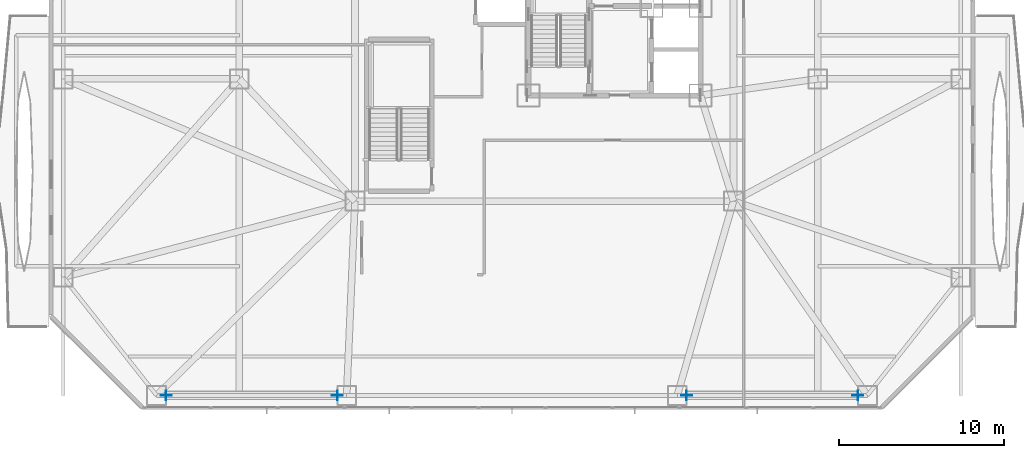
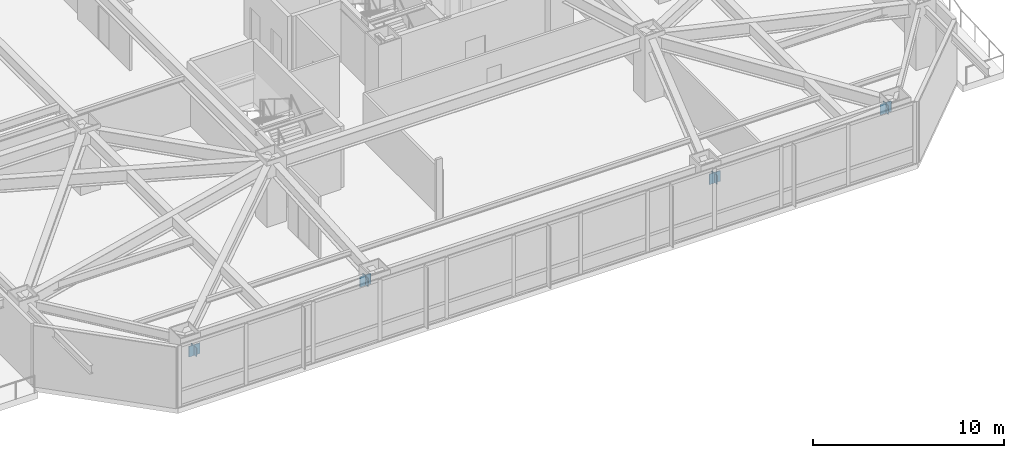
# One storey, part 21 of 32: 8 plates.
"""IFC4 building model written with IfcOpenShell, lengths in metres."""

from ifc_helpers import new_model, si_unit, direction, frame, origin, origin_2d, place, context, subcontext, project, spatial, rectangle, extrude, material, layer, layer_set, type_object, element, save


model = new_model("IFC4")

# Units and contexts
model_context = context("Model", 3, precision=1e-05, world=origin(), true_north=direction((0.0, 1.0)))
body_context = subcontext(model_context, "Body", "Model", "MODEL_VIEW")
ifc_project = project(units=[si_unit("LENGTHUNIT", "METRE"), si_unit("AREAUNIT", "SQUARE_METRE"), si_unit("VOLUMEUNIT", "CUBIC_METRE"), si_unit("PLANEANGLEUNIT", "RADIAN"), si_unit("MASSUNIT", "GRAM", prefix="KILO")], contexts=[model_context])

# Site, building, storey
site_placement = place(None, origin())
site = spatial("IfcSite", under=ifc_project, at=site_placement, CompositionType="ELEMENT")
building_placement = place(site_placement, origin())
building = spatial("IfcBuilding", under=site, at=building_placement, Name="Khamvora Tower", CompositionType="ELEMENT")
storey_placement = place(building_placement, frame((0.0, 0.0, 12.0)))
storey = spatial("IfcBuildingStorey", under=building, at=storey_placement, Name="L02", CompositionType="ELEMENT", Elevation=12.0)

# Plates
ifc_material_1 = material(Name="Steel S355", Category="steel")
ifc_layer_1 = layer(ifc_material_1, 0.02490234375)
ifc_layer_set_1 = layer_set([ifc_layer_1], Name="Steel S355")
plate_type_1 = type_object("IfcPlateType", Name="PL-CAP-25", PredefinedType="SHEET", material=ifc_layer_set_1)
for number, where, z_axis, x_axis, name in (
    (1, (7.06591796875, 0.85009765625, 2.44189453125), (0.0, 0.0, 1.0), (1.0, 0.0, 0.0), "L02 hollow section steel end cap plate 0420"),
    (2, (17.43408203125, 0.85009765625, 3.28076171875), (0.0, 0.0, 1.0), (1.0, 0.0, 0.0), "L02 hollow section steel end cap plate 0421"),
    (3, (38.56591796875, 0.85009765625, 2.44189453125), (0.0, 0.0, 1.0), (1.0, 0.0, 0.0), "L02 hollow section steel end cap plate 0422"),
    (4, (48.93408203125, 0.85009765625, 3.28076171875), (0.0, 0.0, 1.0), (1.0, 0.0, 0.0), "L02 hollow section steel end cap plate 0423"),
):
    element("IfcPlate", number, at=place(storey_placement, frame(where, z_axis=z_axis, x_axis=x_axis)), inside=storey, type_object=plate_type_1, Name=name, PredefinedType="SHEET", context=body_context, shape_type="SweptSolid", body=[
        extrude(rectangle(XDim=0.02490234375, YDim=0.568115234375, at=origin_2d()), origin(), (0.0, 0.0, 1.0), 0.568115234375),
    ])
ifc_material_2 = material(Name="Steel S460", Category="steel")
ifc_layer_2 = layer(ifc_material_2, 0.0400390625)
ifc_layer_set_2 = layer_set([ifc_layer_2], Name="Steel S460")
plate_type_2 = type_object("IfcPlateType", Name="PLT-GUS-40", PredefinedType="SHEET", material=ifc_layer_set_2)
for number, where, z_axis, x_axis, name in (
    (5, (7.077880859375, 0.85009765625, 2.38720703125), (0.0, 0.0, 1.0), (1.0, 0.0, 0.0), "L02 brace connection node gusset plate 0033"),
    (6, (17.422119140625, 0.85009765625, 3.22412109375), (0.0, 0.0, 1.0), (1.0, 0.0, 0.0), "L02 brace connection node gusset plate 0034"),
    (7, (38.577880859375, 0.85009765625, 2.38720703125), (0.0, 0.0, 1.0), (1.0, 0.0, 0.0), "L02 brace connection node gusset plate 0035"),
    (8, (48.922119140625, 0.85009765625, 3.22412109375), (0.0, 0.0, 1.0), (1.0, 0.0, 0.0), "L02 brace connection node gusset plate 0036"),
):
    element("IfcPlate", number, at=place(storey_placement, frame(where, z_axis=z_axis, x_axis=x_axis)), inside=storey, type_object=plate_type_2, Name=name, PredefinedType="SHEET", context=body_context, shape_type="SweptSolid", body=[
        extrude(rectangle(XDim=0.679931640625, YDim=0.0400390625, at=origin_2d()), origin(), (0.0, 0.0, 1.0), 0.679931640625),
    ])

save(model, "model.ifc")
